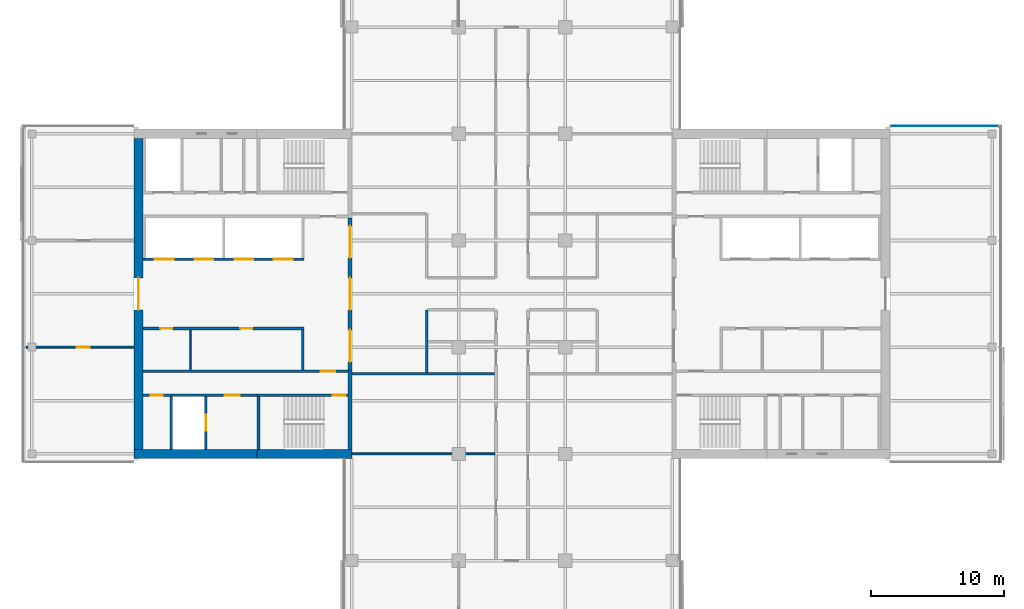
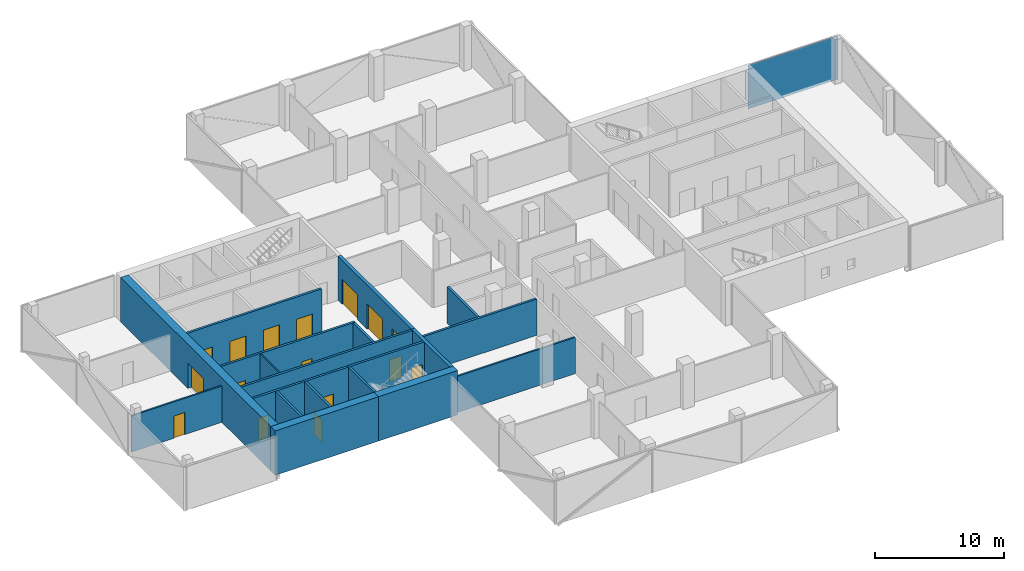
# One storey, part 13 of 22: 19 walls, 16 doors, 1 plate, 16 openings, 1 element without a shape of its own.
"""IFC4 building model written with IfcOpenShell, lengths in metres."""

from ifc_helpers import new_model, si_unit, direction, frame, frame_2d, origin, place, context, subcontext, project, spatial, polyline, rectangle, outline, extrude, material, layer, layer_set, constituent, constituent_set, type_object, element, fill, aggregate, save


model = new_model("IFC4")

# Units and contexts
model_context = context("Model", 3, precision=1e-05, world=origin(), true_north=direction((0.0, 1.0)))
body_context = subcontext(model_context, "Body", "Model", "MODEL_VIEW")
ifc_project = project(units=[si_unit("LENGTHUNIT", "METRE"), si_unit("AREAUNIT", "SQUARE_METRE"), si_unit("VOLUMEUNIT", "CUBIC_METRE"), si_unit("PLANEANGLEUNIT", "RADIAN"), si_unit("MASSUNIT", "GRAM", prefix="KILO")], contexts=[model_context])

# Site, building, storey
site_placement = place(None, origin())
site = spatial("IfcSite", under=ifc_project, at=site_placement, CompositionType="ELEMENT")
building_placement = place(site_placement, origin())
building = spatial("IfcBuilding", under=site, at=building_placement, Name="Crosswind Convention Tower", CompositionType="ELEMENT")
storey_placement = place(building_placement, frame((0.0, 0.0, 154.699951171875)))
storey = spatial("IfcBuildingStorey", under=building, at=storey_placement, Name="L32", CompositionType="ELEMENT", Elevation=154.699951171875)

# Curtain wall, plate
ifc_material_1 = material(Name="Aluminium unitised curtain wall", Category="aluminium")
curtain_wall_type = type_object("IfcCurtainWallType", Name="CORE END SLOT WALL 160", PredefinedType="USERDEFINED", material=ifc_material_1)
curtain_wall_placement = place(storey_placement, origin())
curtain_wall = element("IfcCurtainWall", 1, at=curtain_wall_placement, inside=storey, type_object=curtain_wall_type, Name="CW6 L32 E-N.1-1 slot", ObjectType="UNITISED", PredefinedType="USERDEFINED")
ifc_material_2 = material(Name="Laminated insulating glass unit", Category="glass")
ifc_layer_1 = layer(ifc_material_2, 0.02587890625)
ifc_layer_set_1 = layer_set([ifc_layer_1], Name="TRIANGULAR GLASS PANEL 26")
plate_type = type_object("IfcPlateType", Name="TRIANGULAR GLASS PANEL 26", PredefinedType="CURTAIN_PANEL", material=ifc_layer_set_1)
plate_placement = place(storey_placement, frame((161.449951171875, 112.60693359375, -0.300048828125), z_axis=(0.0, 0.999999915215, 0.000411788894), x_axis=(-1.0, 0.0, 0.0)))
plate = element("IfcPlate", 2, at=plate_placement, type_object=plate_type, Name="CW6 panel 1.1", PredefinedType="CURTAIN_PANEL", context=body_context, shape_type="SweptSolid", body=[
    extrude(outline(polyline([(0.0, 0.0), (8.050048828125, 0.0), (8.050048828125, 4.150146836245408), (0.0, 4.150146836245408), (0.0, 0.0)])), origin(), (0.0, 0.0, -1.0), 0.02587890625),
])
aggregate(curtain_wall, [plate])

# Walls
ifc_material_3 = material(Name="Concrete blockwork", Category="masonry")
ifc_layer_2 = layer(ifc_material_3, 0.199951171875)
ifc_layer_set_2 = layer_set([ifc_layer_2], Name="COMPARTMENT WALL 200 BLOCKWORK")
wall_type_1 = type_object("IfcWallType", Name="COMPARTMENT WALL 200 BLOCKWORK", PredefinedType="SOLIDWALL", material=ifc_layer_set_2)
wall_1_placement = place(storey_placement, frame((118.60009765625, 94.10009765625, 0.0), z_axis=(0.0, 0.0, 1.0), x_axis=(0.0, 1.0, 0.0)))
element("IfcWall", 3, at=wall_1_placement, inside=storey, type_object=wall_type_1, Name="Compartment wall WT42", PredefinedType="SOLIDWALL", context=body_context, shape_type="SweptSolid", body=[
    extrude(rectangle(XDim=4.699951171875, YDim=0.199951171875, at=frame_2d((2.35009765625, 0.0))), origin(), (0.0, 0.0, 1.0), 3.4365234375),
])
wall_2_placement = place(storey_placement, frame((113.0, 94.0, 0.0), z_axis=(0.0, 0.0, 1.0), x_axis=(1.0, 0.0, 0.0)))
element("IfcWall", 4, at=wall_2_placement, inside=storey, type_object=wall_type_1, Name="Compartment wall WT42", PredefinedType="SOLIDWALL", context=body_context, shape_type="SweptSolid", body=[
    extrude(rectangle(XDim=10.699951171875, YDim=0.199951171875, at=frame_2d((5.35009765625, 0.0))), origin(), (0.0, 0.0, 1.0), 3.4365234375),
])

# Wall, opening, door
ifc_material_4 = material(Name="Concrete C60/75", Category="concrete")
ifc_layer_3 = layer(ifc_material_4, 0.699951171875)
ifc_layer_set_3 = layer_set([ifc_layer_3], Name="Concrete C60/75")
wall_type_2 = type_object("IfcWallType", Name="Concrete core wall 700", PredefinedType="SHEAR", material=ifc_layer_set_3)
wall_3_placement = place(storey_placement, frame((97.0, 111.64990234375, 0.0), z_axis=(0.0, 0.0, 1.0), x_axis=(0.0, -1.0, 0.0)))
wall_3 = element("IfcWall", 5, at=wall_3_placement, inside=storey, type_object=wall_type_2, Name="Wall O W L32", PredefinedType="SHEAR", context=body_context, shape_type="SweptSolid", body=[
    extrude(rectangle(XDim=23.2998046875, YDim=0.699951171875, at=frame_2d((11.64990234375, 0.0))), origin(), (0.0, 0.0, 1.0), 4.199951171875),
])
opening_1_placement = place(wall_3_placement, frame((10.449951171875, 0.0, 0.0)))
opening_1 = element("IfcOpeningElement", 6, at=opening_1_placement, cuts=wall_3, Name="Opening D100", PredefinedType="OPENING", context=body_context, shape_type="SweptSolid", body=[
    extrude(rectangle(XDim=2.39990234375, YDim=2.39990234375, at=frame_2d((1.199951171875, 1.199951171875))), frame((0.0, 0.35986328125, 0.0), z_axis=(0.0, -1.0, 0.0), x_axis=(1.0, 0.0, 0.0)), (0.0, 0.0, 1.0), 0.719970703125),
])
ifc_material_5 = material(Name="Steel fire door with glazed vision panels", Category="steel")
door_type_1 = type_object("IfcDoorType", Name="Fire-rated double door 2400x2400", OperationType="DOUBLE_DOOR_SINGLE_SWING", PredefinedType="DOOR", material=ifc_material_5)
door_1_placement = place(opening_1_placement, origin())
door_1 = element("IfcDoor", 7, at=door_1_placement, inside=storey, type_object=door_type_1, Name="Lobby outer door L32", ObjectType="D100", OperationType="DOUBLE_DOOR_SINGLE_SWING", OverallHeight=2.39990234375, OverallWidth=2.39990234375, PredefinedType="DOOR", context=body_context, shape_type="SweptSolid", body=[
    extrude(rectangle(XDim=2.39990234375, YDim=2.39990234375, at=frame_2d((1.199951171875, 1.199951171875))), frame((0.0, 0.02490234375, 0.0), z_axis=(0.0, -1.0, 0.0), x_axis=(1.0, 0.0, 0.0)), (0.0, 0.0, 1.0), 0.050048828125),
])
fill(opening_1, door_1)

# Wall, openings, doors
ifc_material_6 = material(Name="Concrete C50/60", Category="concrete")
ifc_layer_4 = layer(ifc_material_6, 0.300048828125)
ifc_layer_set_4 = layer_set([ifc_layer_4], Name="Concrete C50/60")
wall_type_3 = type_object("IfcWallType", Name="Concrete inner core wall 300", PredefinedType="SHEAR", material=ifc_layer_set_4)
wall_4_placement = place(storey_placement, frame((112.85009765625, 105.699951171875, 0.0), z_axis=(0.0, 0.0, 1.0), x_axis=(0.0, -1.0, 0.0)))
wall_4 = element("IfcWall", 8, at=wall_4_placement, inside=storey, type_object=wall_type_3, Name="Wall SCR W L32", PredefinedType="SHEAR", context=body_context, shape_type="SweptSolid", body=[
    extrude(rectangle(XDim=11.39990234375, YDim=0.300048828125, at=frame_2d((5.699951171875, 0.0))), origin(), (0.0, 0.0, 1.0), 4.199951171875),
])
opening_2_placement = place(wall_4_placement, frame((0.60009765625, 0.0, 0.0)))
opening_2 = element("IfcOpeningElement", 9, at=opening_2_placement, cuts=wall_4, Name="Opening D100", PredefinedType="OPENING", context=body_context, shape_type="SweptSolid", body=[
    extrude(rectangle(XDim=2.39990234375, YDim=2.39990234375, at=frame_2d((1.199951171875, 1.199951171875))), frame((0.0, 0.159912109375, 0.0), z_axis=(0.0, -1.0, 0.0), x_axis=(1.0, 0.0, 0.0)), (0.0, 0.0, 1.0), 0.320068359375),
])
opening_3_placement = place(wall_4_placement, frame((4.5, 0.0, 0.0)))
opening_3 = element("IfcOpeningElement", 10, at=opening_3_placement, cuts=wall_4, Name="Opening D100", PredefinedType="OPENING", context=body_context, shape_type="SweptSolid", body=[
    extrude(rectangle(XDim=2.39990234375, YDim=2.39990234375, at=frame_2d((1.199951171875, 1.199951171875))), frame((0.0, 0.159912109375, 0.0), z_axis=(0.0, -1.0, 0.0), x_axis=(1.0, 0.0, 0.0)), (0.0, 0.0, 1.0), 0.320068359375),
])
opening_4_placement = place(wall_4_placement, frame((8.39990234375, 0.0, 0.0)))
opening_4 = element("IfcOpeningElement", 11, at=opening_4_placement, cuts=wall_4, Name="Opening D100", PredefinedType="OPENING", context=body_context, shape_type="SweptSolid", body=[
    extrude(rectangle(XDim=2.39990234375, YDim=2.39990234375, at=frame_2d((1.199951171875, 1.199951171875))), frame((0.0, 0.159912109375, 0.0), z_axis=(0.0, -1.0, 0.0), x_axis=(1.0, 0.0, 0.0)), (0.0, 0.0, 1.0), 0.320068359375),
])
door_2_placement = place(opening_2_placement, origin())
door_2 = element("IfcDoor", 12, at=door_2_placement, inside=storey, type_object=door_type_1, Name="Lobby door 1 L32", ObjectType="D100", OperationType="DOUBLE_DOOR_SINGLE_SWING", OverallHeight=2.39990234375, OverallWidth=2.39990234375, PredefinedType="DOOR", context=body_context, shape_type="SweptSolid", body=[
    extrude(rectangle(XDim=2.39990234375, YDim=2.39990234375, at=frame_2d((1.199951171875, 1.199951171875))), frame((0.0, 0.02490234375, 0.0), z_axis=(0.0, -1.0, 0.0), x_axis=(1.0, 0.0, 0.0)), (0.0, 0.0, 1.0), 0.050048828125),
])
fill(opening_2, door_2)
door_3_placement = place(opening_3_placement, origin())
door_3 = element("IfcDoor", 13, at=door_3_placement, inside=storey, type_object=door_type_1, Name="Lobby door 2 L32", ObjectType="D100", OperationType="DOUBLE_DOOR_SINGLE_SWING", OverallHeight=2.39990234375, OverallWidth=2.39990234375, PredefinedType="DOOR", context=body_context, shape_type="SweptSolid", body=[
    extrude(rectangle(XDim=2.39990234375, YDim=2.39990234375, at=frame_2d((1.199951171875, 1.199951171875))), frame((0.0, 0.02490234375, 0.0), z_axis=(0.0, -1.0, 0.0), x_axis=(1.0, 0.0, 0.0)), (0.0, 0.0, 1.0), 0.050048828125),
])
fill(opening_3, door_3)
door_4_placement = place(opening_4_placement, origin())
door_4 = element("IfcDoor", 14, at=door_4_placement, inside=storey, type_object=door_type_1, Name="Lobby door 3 L32", ObjectType="D100", OperationType="DOUBLE_DOOR_SINGLE_SWING", OverallHeight=2.39990234375, OverallWidth=2.39990234375, PredefinedType="DOOR", context=body_context, shape_type="SweptSolid", body=[
    extrude(rectangle(XDim=2.39990234375, YDim=2.39990234375, at=frame_2d((1.199951171875, 1.199951171875))), frame((0.0, 0.02490234375, 0.0), z_axis=(0.0, -1.0, 0.0), x_axis=(1.0, 0.0, 0.0)), (0.0, 0.0, 1.0), 0.050048828125),
])
fill(opening_4, door_4)

# Walls
wall_5_placement = place(storey_placement, frame((112.85009765625, 94.300048828125, 0.0), z_axis=(0.0, 0.0, 1.0), x_axis=(0.0, -1.0, 0.0)))
element("IfcWall", 15, at=wall_5_placement, inside=storey, type_object=wall_type_3, Name="Wall EP W L32", PredefinedType="SHEAR", context=body_context, shape_type="SweptSolid", body=[
    extrude(rectangle(XDim=5.949951171875, YDim=0.300048828125, at=frame_2d((2.97509765625, 0.0))), origin(), (0.0, 0.0, 1.0), 4.199951171875),
])
ifc_layer_5 = layer(ifc_material_6, 0.199951171875)
ifc_layer_set_5 = layer_set([ifc_layer_5], Name="Concrete C50/60")
wall_type_4 = type_object("IfcWallType", Name="Concrete shaft and stair wall 200", PredefinedType="SHEAR", material=ifc_layer_set_5)
wall_6_placement = place(storey_placement, frame((109.300048828125, 97.300048828125, 0.0), z_axis=(0.0, 0.0, 1.0), x_axis=(0.0, -1.0, 0.0)))
element("IfcWall", 16, at=wall_6_placement, inside=storey, type_object=wall_type_4, Name="Wall RPEND W L32", PredefinedType="SHEAR", context=body_context, shape_type="SweptSolid", body=[
    extrude(rectangle(XDim=3.0, YDim=0.199951171875, at=frame_2d((1.5, 0.0))), origin(), (0.0, 0.0, 1.0), 4.199951171875),
])

# Wall, openings, doors
wall_7_placement = place(storey_placement, frame((109.39990234375, 97.39990234375, 0.0), z_axis=(0.0, 0.0, 1.0), x_axis=(-1.0, 0.0, 0.0)))
wall_7 = element("IfcWall", 17, at=wall_7_placement, inside=storey, type_object=wall_type_4, Name="Wall RPFRONT W L32", PredefinedType="SHEAR", context=body_context, shape_type="SweptSolid", body=[
    extrude(rectangle(XDim=12.0498046875, YDim=0.199951171875, at=frame_2d((6.02490234375, 0.0))), origin(), (0.0, 0.0, 1.0), 4.199951171875),
])
opening_5_placement = place(wall_7_placement, frame((3.8662109375, 0.0, 0.0)))
opening_5 = element("IfcOpeningElement", 18, at=opening_5_placement, cuts=wall_7, Name="Opening D106", PredefinedType="OPENING", context=body_context, shape_type="SweptSolid", body=[
    extrude(rectangle(XDim=0.89990234375, YDim=2.10009765625, at=frame_2d((0.449951171875, 1.050048828125))), frame((0.0, 0.10986328125, 0.0), z_axis=(0.0, -1.0, 0.0), x_axis=(1.0, 0.0, 0.0)), (0.0, 0.0, 1.0), 0.219970703125),
])
opening_6_placement = place(wall_7_placement, frame((9.853759765625, 0.0, 0.0)))
opening_6 = element("IfcOpeningElement", 19, at=opening_6_placement, cuts=wall_7, Name="Opening D106", PredefinedType="OPENING", context=body_context, shape_type="SweptSolid", body=[
    extrude(rectangle(XDim=0.89990234375, YDim=2.10009765625, at=frame_2d((0.449951171875, 1.050048828125))), frame((0.0, 0.10986328125, 0.0), z_axis=(0.0, -1.0, 0.0), x_axis=(1.0, 0.0, 0.0)), (0.0, 0.0, 1.0), 0.219970703125),
])
ifc_material_7 = material(Name="Timber door", Category="wood")
door_type_2 = type_object("IfcDoorType", Name="Single leaf door 900x2100", OperationType="NOTDEFINED", PredefinedType="DOOR", material=ifc_material_7)
door_5_placement = place(opening_5_placement, origin())
door_5 = element("IfcDoor", 20, at=door_5_placement, inside=storey, type_object=door_type_2, Name="Door to meeting room L32", ObjectType="D106", OperationType="SINGLE_SWING_RIGHT", OverallHeight=2.10009765625, OverallWidth=0.89990234375, PredefinedType="DOOR", context=body_context, shape_type="SweptSolid", body=[
    extrude(rectangle(XDim=0.89990234375, YDim=2.10009765625, at=frame_2d((0.449951171875, 1.050048828125))), frame((0.0, 0.02490234375, 0.0), z_axis=(0.0, -1.0, 0.0), x_axis=(1.0, 0.0, 0.0)), (0.0, 0.0, 1.0), 0.050048828125),
])
fill(opening_5, door_5)
door_6_placement = place(opening_6_placement, origin())
door_6 = element("IfcDoor", 21, at=door_6_placement, inside=storey, type_object=door_type_2, Name="Door to pantry L32", ObjectType="D106", OperationType="SINGLE_SWING_RIGHT", OverallHeight=2.10009765625, OverallWidth=0.89990234375, PredefinedType="DOOR", context=body_context, shape_type="SweptSolid", body=[
    extrude(rectangle(XDim=0.89990234375, YDim=2.10009765625, at=frame_2d((0.449951171875, 1.050048828125))), frame((0.0, 0.02490234375, 0.0), z_axis=(0.0, -1.0, 0.0), x_axis=(1.0, 0.0, 0.0)), (0.0, 0.0, 1.0), 0.050048828125),
])
fill(opening_6, door_6)

wall_8_placement = place(storey_placement, frame((109.39990234375, 102.60009765625, 0.0), z_axis=(0.0, 0.0, 1.0), x_axis=(-1.0, 0.0, 0.0)))
wall_8 = element("IfcWall", 22, at=wall_8_placement, inside=storey, type_object=wall_type_4, Name="Wall RMFRONT W L32", PredefinedType="SHEAR", context=body_context, shape_type="SweptSolid", body=[
    extrude(rectangle(XDim=12.0498046875, YDim=0.199951171875, at=frame_2d((6.02490234375, 0.0))), origin(), (0.0, 0.0, 1.0), 4.199951171875),
])
opening_7_placement = place(wall_8_placement, frame((0.85009765625, 0.0, 0.0)))
opening_7 = element("IfcOpeningElement", 23, at=opening_7_placement, cuts=wall_8, Name="Opening LD2", PredefinedType="OPENING", context=body_context, shape_type="SweptSolid", body=[
    extrude(rectangle(XDim=1.39990234375, YDim=2.10009765625, at=frame_2d((0.699951171875, 1.050048828125))), frame((0.0, 0.10986328125, 0.0), z_axis=(0.0, -1.0, 0.0), x_axis=(1.0, 0.0, 0.0)), (0.0, 0.0, 1.0), 0.219970703125),
])
opening_8_placement = place(wall_8_placement, frame((3.800048828125, 0.0, 0.0)))
opening_8 = element("IfcOpeningElement", 24, at=opening_8_placement, cuts=wall_8, Name="Opening LD2", PredefinedType="OPENING", context=body_context, shape_type="SweptSolid", body=[
    extrude(rectangle(XDim=1.39990234375, YDim=2.10009765625, at=frame_2d((0.699951171875, 1.050048828125))), frame((0.0, 0.10986328125, 0.0), z_axis=(0.0, -1.0, 0.0), x_axis=(1.0, 0.0, 0.0)), (0.0, 0.0, 1.0), 0.219970703125),
])
opening_9_placement = place(wall_8_placement, frame((6.800048828125, 0.0, 0.0)))
opening_9 = element("IfcOpeningElement", 25, at=opening_9_placement, cuts=wall_8, Name="Opening LD2", PredefinedType="OPENING", context=body_context, shape_type="SweptSolid", body=[
    extrude(rectangle(XDim=1.39990234375, YDim=2.10009765625, at=frame_2d((0.699951171875, 1.050048828125))), frame((0.0, 0.10986328125, 0.0), z_axis=(0.0, -1.0, 0.0), x_axis=(1.0, 0.0, 0.0)), (0.0, 0.0, 1.0), 0.219970703125),
])
opening_10_placement = place(wall_8_placement, frame((9.77490234375, 0.0, 0.0)))
opening_10 = element("IfcOpeningElement", 26, at=opening_10_placement, cuts=wall_8, Name="Opening LD2", PredefinedType="OPENING", context=body_context, shape_type="SweptSolid", body=[
    extrude(rectangle(XDim=1.39990234375, YDim=2.10009765625, at=frame_2d((0.699951171875, 1.050048828125))), frame((0.0, 0.10986328125, 0.0), z_axis=(0.0, -1.0, 0.0), x_axis=(1.0, 0.0, 0.0)), (0.0, 0.0, 1.0), 0.219970703125),
])
ifc_material_8 = material(Name="Stainless steel", Category="steel")
door_type_3 = type_object("IfcDoorType", Name="Lift landing door 1400x2100", OperationType="DOUBLE_DOOR_SLIDING", PredefinedType="DOOR", material=ifc_material_8)
door_7_placement = place(opening_7_placement, origin())
door_7 = element("IfcDoor", 27, at=door_7_placement, inside=storey, type_object=door_type_3, Name="Landing door A5 L32", ObjectType="LD2", OperationType="DOUBLE_DOOR_SLIDING", OverallHeight=2.10009765625, OverallWidth=1.39990234375, PredefinedType="DOOR", context=body_context, shape_type="SweptSolid", body=[
    extrude(rectangle(XDim=1.39990234375, YDim=2.10009765625, at=frame_2d((0.699951171875, 1.050048828125))), frame((0.0, 0.02490234375, 0.0), z_axis=(0.0, -1.0, 0.0), x_axis=(1.0, 0.0, 0.0)), (0.0, 0.0, 1.0), 0.050048828125),
])
fill(opening_7, door_7)
door_8_placement = place(opening_8_placement, origin())
door_8 = element("IfcDoor", 28, at=door_8_placement, inside=storey, type_object=door_type_3, Name="Landing door A6 L32", ObjectType="LD2", OperationType="DOUBLE_DOOR_SLIDING", OverallHeight=2.10009765625, OverallWidth=1.39990234375, PredefinedType="DOOR", context=body_context, shape_type="SweptSolid", body=[
    extrude(rectangle(XDim=1.39990234375, YDim=2.10009765625, at=frame_2d((0.699951171875, 1.050048828125))), frame((0.0, 0.02490234375, 0.0), z_axis=(0.0, -1.0, 0.0), x_axis=(1.0, 0.0, 0.0)), (0.0, 0.0, 1.0), 0.050048828125),
])
fill(opening_8, door_8)
door_9_placement = place(opening_9_placement, origin())
door_9 = element("IfcDoor", 29, at=door_9_placement, inside=storey, type_object=door_type_3, Name="Landing door A7 L32", ObjectType="LD2", OperationType="DOUBLE_DOOR_SLIDING", OverallHeight=2.10009765625, OverallWidth=1.39990234375, PredefinedType="DOOR", context=body_context, shape_type="SweptSolid", body=[
    extrude(rectangle(XDim=1.39990234375, YDim=2.10009765625, at=frame_2d((0.699951171875, 1.050048828125))), frame((0.0, 0.02490234375, 0.0), z_axis=(0.0, -1.0, 0.0), x_axis=(1.0, 0.0, 0.0)), (0.0, 0.0, 1.0), 0.050048828125),
])
fill(opening_9, door_9)
door_10_placement = place(opening_10_placement, origin())
door_10 = element("IfcDoor", 30, at=door_10_placement, inside=storey, type_object=door_type_3, Name="Landing door A8 L32", ObjectType="LD2", OperationType="DOUBLE_DOOR_SLIDING", OverallHeight=2.10009765625, OverallWidth=1.39990234375, PredefinedType="DOOR", context=body_context, shape_type="SweptSolid", body=[
    extrude(rectangle(XDim=1.39990234375, YDim=2.10009765625, at=frame_2d((0.699951171875, 1.050048828125))), frame((0.0, 0.02490234375, 0.0), z_axis=(0.0, -1.0, 0.0), x_axis=(1.0, 0.0, 0.0)), (0.0, 0.0, 1.0), 0.050048828125),
])
fill(opening_10, door_10)

# Wall, opening, door
wall_9_placement = place(storey_placement, frame((112.699951171875, 94.199951171875, 0.0), z_axis=(0.0, 0.0, 1.0), x_axis=(-1.0, 0.0, 0.0)))
wall_9 = element("IfcWall", 31, at=wall_9_placement, inside=storey, type_object=wall_type_4, Name="Wall HP W L32", PredefinedType="SHEAR", context=body_context, shape_type="SweptSolid", body=[
    extrude(rectangle(XDim=15.349853515625, YDim=0.199951171875, at=frame_2d((7.6748046875, 0.0))), origin(), (0.0, 0.0, 1.0), 4.199951171875),
])
opening_11_placement = place(wall_9_placement, frame((0.949951171875, 0.0, 0.0)))
opening_11 = element("IfcOpeningElement", 32, at=opening_11_placement, cuts=wall_9, Name="Opening D104", PredefinedType="OPENING", context=body_context, shape_type="SweptSolid", body=[
    extrude(rectangle(XDim=1.10009765625, YDim=2.10009765625, at=frame_2d((0.550048828125, 1.050048828125))), frame((0.0, 0.10986328125, 0.0), z_axis=(0.0, -1.0, 0.0), x_axis=(1.0, 0.0, 0.0)), (0.0, 0.0, 1.0), 0.219970703125),
])
ifc_material_9 = material(Name="Steel fire door", Category="steel")
door_type_4 = type_object("IfcDoorType", Name="Fire-rated single door 1100x2100", OperationType="NOTDEFINED", PredefinedType="DOOR", material=ifc_material_9)
door_11_placement = place(opening_11_placement, origin())
door_11 = element("IfcDoor", 33, at=door_11_placement, inside=storey, type_object=door_type_4, Name="Corridor door L32", ObjectType="D104", OperationType="SINGLE_SWING_LEFT", OverallHeight=2.10009765625, OverallWidth=1.10009765625, PredefinedType="DOOR", context=body_context, shape_type="SweptSolid", body=[
    extrude(rectangle(XDim=1.10009765625, YDim=2.10009765625, at=frame_2d((0.550048828125, 1.050048828125))), frame((0.0, 0.02490234375, 0.0), z_axis=(0.0, -1.0, 0.0), x_axis=(1.0, 0.0, 0.0)), (0.0, 0.0, 1.0), 0.050048828125),
])
fill(opening_11, door_11)

# Wall
wall_10_placement = place(storey_placement, frame((106.0, 92.300048828125, 0.0), z_axis=(0.0, 0.0, 1.0), x_axis=(0.0, -1.0, 0.0)))
element("IfcWall", 34, at=wall_10_placement, inside=storey, type_object=wall_type_4, Name="Wall PSE W L32", PredefinedType="SHEAR", context=body_context, shape_type="SweptSolid", body=[
    extrude(rectangle(XDim=3.949951171875, YDim=0.199951171875, at=frame_2d((1.97509765625, 0.0))), origin(), (0.0, 0.0, 1.0), 4.199951171875),
])

# Wall, opening, door
wall_11_placement = place(storey_placement, frame((102.050048828125, 92.300048828125, 0.0), z_axis=(0.0, 0.0, 1.0), x_axis=(0.0, -1.0, 0.0)))
wall_11 = element("IfcWall", 35, at=wall_11_placement, inside=storey, type_object=wall_type_4, Name="Wall PFLW W L32", PredefinedType="SHEAR", context=body_context, shape_type="SweptSolid", body=[
    extrude(rectangle(XDim=3.949951171875, YDim=0.199951171875, at=frame_2d((1.97509765625, 0.0))), origin(), (0.0, 0.0, 1.0), 4.199951171875),
])
opening_12_placement = place(wall_11_placement, frame((1.375, 0.0, 0.0)))
opening_12 = element("IfcOpeningElement", 36, at=opening_12_placement, cuts=wall_11, Name="Opening LD1", PredefinedType="OPENING", context=body_context, shape_type="SweptSolid", body=[
    extrude(rectangle(XDim=1.199951171875, YDim=2.10009765625, at=frame_2d((0.60009765625, 1.050048828125))), frame((0.0, 0.10986328125, 0.0), z_axis=(0.0, -1.0, 0.0), x_axis=(1.0, 0.0, 0.0)), (0.0, 0.0, 1.0), 0.219970703125),
])
door_type_5 = type_object("IfcDoorType", Name="Lift landing door 1200x2100", OperationType="DOUBLE_DOOR_SLIDING", PredefinedType="DOOR", material=ifc_material_8)
door_12_placement = place(opening_12_placement, origin())
door_12 = element("IfcDoor", 37, at=door_12_placement, inside=storey, type_object=door_type_5, Name="Landing door FF2 L32", ObjectType="LD1", OperationType="DOUBLE_DOOR_SLIDING", OverallHeight=2.10009765625, OverallWidth=1.199951171875, PredefinedType="DOOR", context=body_context, shape_type="SweptSolid", body=[
    extrude(rectangle(XDim=1.199951171875, YDim=2.10009765625, at=frame_2d((0.60009765625, 1.050048828125))), frame((0.0, 0.02490234375, 0.0), z_axis=(0.0, -1.0, 0.0), x_axis=(1.0, 0.0, 0.0)), (0.0, 0.0, 1.0), 0.050048828125),
])
fill(opening_12, door_12)

# Wall
wall_12_placement = place(storey_placement, frame((99.449951171875, 92.300048828125, 0.0), z_axis=(0.0, 0.0, 1.0), x_axis=(0.0, -1.0, 0.0)))
element("IfcWall", 38, at=wall_12_placement, inside=storey, type_object=wall_type_4, Name="Wall PFSE W L32", PredefinedType="SHEAR", context=body_context, shape_type="SweptSolid", body=[
    extrude(rectangle(XDim=3.949951171875, YDim=0.199951171875, at=frame_2d((1.97509765625, 0.0))), origin(), (0.0, 0.0, 1.0), 4.199951171875),
])

# Wall, opening, door
wall_13_placement = place(storey_placement, frame((112.699951171875, 92.39990234375, 0.0), z_axis=(0.0, 0.0, 1.0), x_axis=(-1.0, 0.0, 0.0)))
wall_13 = element("IfcWall", 39, at=wall_13_placement, inside=storey, type_object=wall_type_4, Name="Wall PCW W L32", PredefinedType="SHEAR", context=body_context, shape_type="SweptSolid", body=[
    extrude(rectangle(XDim=6.800048828125, YDim=0.199951171875, at=frame_2d((3.39990234375, 0.0))), origin(), (0.0, 0.0, 1.0), 4.199951171875),
])
opening_13_placement = place(wall_13_placement, frame((0.14990234375, 0.0, 0.0)))
opening_13 = element("IfcOpeningElement", 40, at=opening_13_placement, cuts=wall_13, Name="Opening D103", PredefinedType="OPENING", context=body_context, shape_type="SweptSolid", body=[
    extrude(rectangle(XDim=1.0, YDim=2.10009765625, at=frame_2d((0.5, 1.050048828125))), frame((0.0, 0.10986328125, 0.0), z_axis=(0.0, -1.0, 0.0), x_axis=(1.0, 0.0, 0.0)), (0.0, 0.0, 1.0), 0.219970703125),
])
door_type_6 = type_object("IfcDoorType", Name="Fire-rated single door 1000x2100", OperationType="NOTDEFINED", PredefinedType="DOOR", material=ifc_material_9)
door_13_placement = place(opening_13_placement, origin())
door_13 = element("IfcDoor", 41, at=door_13_placement, inside=storey, type_object=door_type_6, Name="Stair ST3 door L32", ObjectType="D103", OperationType="SINGLE_SWING_LEFT", OverallHeight=2.10009765625, OverallWidth=1.0, PredefinedType="DOOR", context=body_context, shape_type="SweptSolid", body=[
    extrude(rectangle(XDim=1.0, YDim=2.10009765625, at=frame_2d((0.5, 1.050048828125))), frame((0.0, 0.02490234375, 0.0), z_axis=(0.0, -1.0, 0.0), x_axis=(1.0, 0.0, 0.0)), (0.0, 0.0, 1.0), 0.050048828125),
])
fill(opening_13, door_13)

# Wall, openings, doors
wall_14_placement = place(storey_placement, frame((105.89990234375, 92.39990234375, 0.0), z_axis=(0.0, 0.0, 1.0), x_axis=(-1.0, 0.0, 0.0)))
wall_14 = element("IfcWall", 42, at=wall_14_placement, inside=storey, type_object=wall_type_4, Name="Wall PCX W L32", PredefinedType="SHEAR", context=body_context, shape_type="SweptSolid", body=[
    extrude(rectangle(XDim=8.5498046875, YDim=0.199951171875, at=frame_2d((4.27490234375, 0.0))), origin(), (0.0, 0.0, 1.0), 4.199951171875),
])
opening_14_placement = place(wall_14_placement, frame((1.324951171875, 0.0, 0.0)))
opening_14 = element("IfcOpeningElement", 43, at=opening_14_placement, cuts=wall_14, Name="Opening D104", PredefinedType="OPENING", context=body_context, shape_type="SweptSolid", body=[
    extrude(rectangle(XDim=1.10009765625, YDim=2.10009765625, at=frame_2d((0.550048828125, 1.050048828125))), frame((0.0, 0.10986328125, 0.0), z_axis=(0.0, -1.0, 0.0), x_axis=(1.0, 0.0, 0.0)), (0.0, 0.0, 1.0), 0.219970703125),
])
opening_15_placement = place(wall_14_placement, frame((7.10009765625, 0.0, 0.0)))
opening_15 = element("IfcOpeningElement", 44, at=opening_15_placement, cuts=wall_14, Name="Opening D106", PredefinedType="OPENING", context=body_context, shape_type="SweptSolid", body=[
    extrude(rectangle(XDim=0.89990234375, YDim=2.10009765625, at=frame_2d((0.449951171875, 1.050048828125))), frame((0.0, 0.10986328125, 0.0), z_axis=(0.0, -1.0, 0.0), x_axis=(1.0, 0.0, 0.0)), (0.0, 0.0, 1.0), 0.219970703125),
])
door_14_placement = place(opening_14_placement, origin())
door_14 = element("IfcDoor", 45, at=door_14_placement, inside=storey, type_object=door_type_4, Name="Fire-fighting lobby FF2 door L32", ObjectType="D104", OperationType="SINGLE_SWING_RIGHT", OverallHeight=2.10009765625, OverallWidth=1.10009765625, PredefinedType="DOOR", context=body_context, shape_type="SweptSolid", body=[
    extrude(rectangle(XDim=1.10009765625, YDim=2.10009765625, at=frame_2d((0.550048828125, 1.050048828125))), frame((0.0, 0.02490234375, 0.0), z_axis=(0.0, -1.0, 0.0), x_axis=(1.0, 0.0, 0.0)), (0.0, 0.0, 1.0), 0.050048828125),
])
fill(opening_14, door_14)
door_15_placement = place(opening_15_placement, origin())
door_15 = element("IfcDoor", 46, at=door_15_placement, inside=storey, type_object=door_type_2, Name="Door to comms room L32", ObjectType="D106", OperationType="SINGLE_SWING_RIGHT", OverallHeight=2.10009765625, OverallWidth=0.89990234375, PredefinedType="DOOR", context=body_context, shape_type="SweptSolid", body=[
    extrude(rectangle(XDim=0.89990234375, YDim=2.10009765625, at=frame_2d((0.449951171875, 1.050048828125))), frame((0.0, 0.02490234375, 0.0), z_axis=(0.0, -1.0, 0.0), x_axis=(1.0, 0.0, 0.0)), (0.0, 0.0, 1.0), 0.050048828125),
])
fill(opening_15, door_15)

# Walls
ifc_material_10 = material(Name="Gypsum plasterboard partition", Category="gypsum")
ifc_layer_6 = layer(ifc_material_10, 0.125)
ifc_layer_set_6 = layer_set([ifc_layer_6], Name="Drywall partition wall 125")
wall_type_5 = type_object("IfcWallType", Name="Drywall partition wall 125", PredefinedType="PARTITIONING", material=ifc_layer_set_6)
wall_15_placement = place(storey_placement, frame((100.905029296875, 97.300048828125, 0.0), z_axis=(0.0, 0.0, 1.0), x_axis=(0.0, -1.0, 0.0)))
element("IfcWall", 47, at=wall_15_placement, inside=storey, type_object=wall_type_5, Name="Wall RPP1 W L32", PredefinedType="PARTITIONING", context=body_context, shape_type="SweptSolid", body=[
    extrude(rectangle(XDim=3.0, YDim=0.125, at=frame_2d((1.5, 0.0))), origin(), (0.0, 0.0, 1.0), 4.199951171875),
])
ifc_material_11 = material(Name="Fire-board partition with mineral wool", Category="gypsum")
ifc_layer_7 = layer(ifc_material_11, 0.14990234375)
ifc_layer_set_7 = layer_set([ifc_layer_7], Name="TENANCY WALL 150 TWO-HOUR BOARD")
wall_type_6 = type_object("IfcWallType", Name="TENANCY WALL 150 TWO-HOUR BOARD", PredefinedType="PARTITIONING", material=ifc_layer_set_7)
wall_16_placement = place(storey_placement, frame((113.0, 88.0, 0.0), z_axis=(0.0, 0.0, 1.0), x_axis=(1.0, 0.0, 0.0)))
element("IfcWall", 48, at=wall_16_placement, inside=storey, type_object=wall_type_6, Name="Tenancy wall WT41", PredefinedType="PARTITIONING", context=body_context, shape_type="SweptSolid", body=[
    extrude(rectangle(XDim=10.699951171875, YDim=0.14990234375, at=frame_2d((5.35009765625, 0.0))), origin(), (0.0, 0.0, 1.0), 3.4365234375),
])

# Wall, opening, door
wall_17_placement = place(storey_placement, frame((88.580078125, 96.0, 0.0), z_axis=(0.0, 0.0, 1.0), x_axis=(1.0, 0.0, 0.0)))
wall_17 = element("IfcWall", 49, at=wall_17_placement, inside=storey, type_object=wall_type_6, Name="Tenancy wall WT41", PredefinedType="PARTITIONING", context=body_context, shape_type="SweptSolid", body=[
    extrude(rectangle(XDim=8.06982421875, YDim=0.14990234375, at=frame_2d((4.034912109375, 0.0))), origin(), (0.0, 0.0, 1.0), 3.4365234375),
])
opening_16_placement = place(wall_17_placement, frame((3.77001953125, 0.0, 0.0)))
opening_16 = element("IfcOpeningElement", 50, at=opening_16_placement, cuts=wall_17, Name="Opening L32-67", PredefinedType="OPENING", context=body_context, shape_type="SweptSolid", body=[
    extrude(rectangle(XDim=1.0, YDim=2.10009765625, at=frame_2d((0.5, 1.050048828125))), frame((0.0, 0.0849609375, 0.0), z_axis=(0.0, -1.0, 0.0), x_axis=(1.0, 0.0, 0.0)), (0.0, 0.0, 1.0), 0.169921875),
])
ifc_material_12 = material(Name="Timber fire door", Category="wood")
door_type_7 = type_object("IfcDoorType", Name="TENANCY ENTRANCE DOOR 1000X2100 FD30S", OperationType="NOTDEFINED", PredefinedType="DOOR", material=ifc_material_12)
door_16_placement = place(opening_16_placement, frame((1.0, 0.0, 0.0), z_axis=(0.0, 0.0, 1.0), x_axis=(-1.0, 0.0, 0.0)))
door_16 = element("IfcDoor", 51, at=door_16_placement, inside=storey, type_object=door_type_7, Name="Door L32-67", ObjectType="D41", OperationType="SINGLE_SWING_RIGHT", OverallHeight=2.10009765625, OverallWidth=1.0, PredefinedType="DOOR", context=body_context, shape_type="SweptSolid", body=[
    extrude(rectangle(XDim=1.0, YDim=2.10009765625, at=frame_2d((0.5, 1.050048828125))), frame((0.0, 0.02490234375, 0.0), z_axis=(0.0, -1.0, 0.0), x_axis=(1.0, 0.0, 0.0)), (0.0, 0.0, 1.0), 0.050048828125),
])
fill(opening_16, door_16)

# Walls
ifc_constituent_1 = constituent(ifc_material_4, Name="Structure")
ifc_material_13 = material(Name="Terracotta rainscreen", Category="ceramic")
ifc_constituent_2 = constituent(ifc_material_13, Name="Facing")
ifc_constituent_set = constituent_set(constituents=[ifc_constituent_1, ifc_constituent_2], Name="Concrete C60/75, Terracotta rainscreen")
wall_type_7 = type_object("IfcWallType", Name="Terracotta rainscreen on concrete core wall 700", PredefinedType="SHEAR", material=ifc_constituent_set)
wall_18_placement = place(storey_placement, frame((113.0, 88.0, 0.0), z_axis=(0.0, 0.0, 1.0), x_axis=(-1.0, 0.0, 0.0)))
element("IfcWall", 52, at=wall_18_placement, inside=storey, type_object=wall_type_7, Name="Wall N1 W L32", PredefinedType="SHEAR", context=body_context, shape_type="SweptSolid", body=[
    extrude(rectangle(XDim=7.10009765625, YDim=0.699951171875, at=frame_2d((3.550048828125, 0.0))), origin(), (0.0, 0.0, 1.0), 4.199951171875),
])
wall_19_placement = place(storey_placement, frame((105.89990234375, 88.0, 0.0), z_axis=(0.0, 0.0, 1.0), x_axis=(-1.0, 0.0, 0.0)))
element("IfcWall", 53, at=wall_19_placement, inside=storey, type_object=wall_type_7, Name="Wall N2 W L32", PredefinedType="SHEAR", context=body_context, shape_type="SweptSolid", body=[
    extrude(rectangle(XDim=9.25, YDim=0.699951171875, at=frame_2d((4.625, 0.0))), origin(), (0.0, 0.0, 1.0), 4.199951171875),
])

save(model, "model.ifc")
